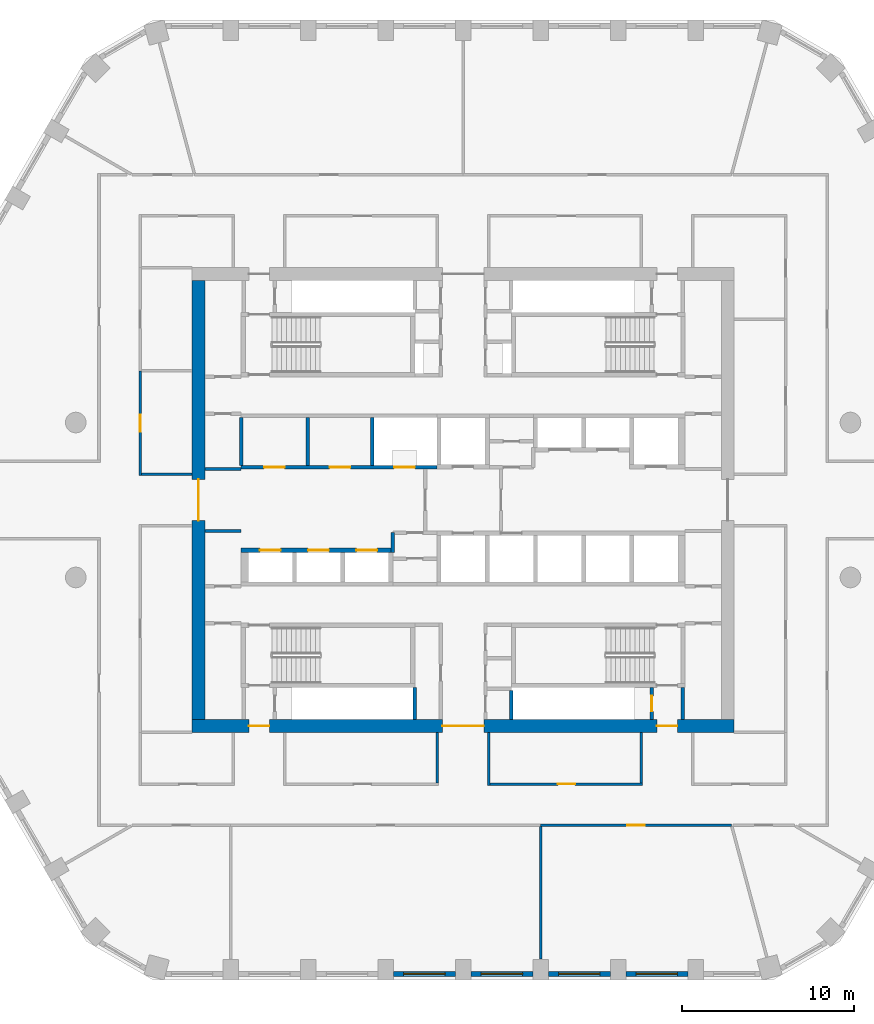
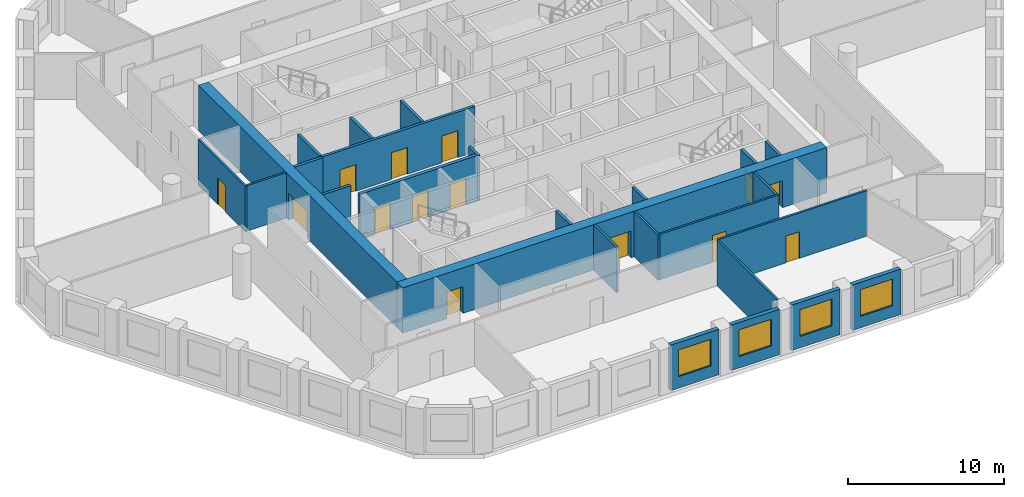
# One storey, part 3 of 10: 26 walls, 14 doors, 4 windows, 18 openings.
"""IFC4 building model written with IfcOpenShell, lengths in metres."""

from ifc_helpers import new_model, si_unit, direction, frame, frame_2d, origin, place, context, subcontext, project, spatial, rectangle, extrude, material, layer, layer_set, type_object, element, fill, save


model = new_model("IFC4")

# Units and contexts
model_context = context("Model", 3, precision=1e-05, world=origin(), true_north=direction((0.0, 1.0)))
body_context = subcontext(model_context, "Body", "Model", "MODEL_VIEW")
ifc_project = project(units=[si_unit("LENGTHUNIT", "METRE"), si_unit("AREAUNIT", "SQUARE_METRE"), si_unit("VOLUMEUNIT", "CUBIC_METRE"), si_unit("PLANEANGLEUNIT", "RADIAN"), si_unit("MASSUNIT", "GRAM", prefix="KILO")], contexts=[model_context])

# Site, building, storey
site_placement = place(None, origin())
site = spatial("IfcSite", under=ifc_project, at=site_placement, CompositionType="ELEMENT")
building_placement = place(site_placement, origin())
building = spatial("IfcBuilding", under=site, at=building_placement, Name="Dhurran Vertical Campus", CompositionType="ELEMENT")
storey_placement = place(building_placement, frame((0.0, 0.0, 148.199951171875)))
storey = spatial("IfcBuildingStorey", under=building, at=storey_placement, Name="L36", CompositionType="ELEMENT", Elevation=148.199951171875)

# Wall, opening, window
ifc_material_1 = material(Name="Precast concrete C50/60", Category="concrete")
ifc_layer_1 = layer(ifc_material_1, 0.300048828125)
ifc_layer_set_1 = layer_set([ifc_layer_1], Name="Precast concrete C50/60")
wall_type_1 = type_object("IfcWallType", Name="Precast spandrel wall 300", PredefinedType="SOLIDWALL", material=ifc_layer_set_1)
wall_1_placement = place(storey_placement, frame((-4.049560546875, -27.53271484375, 0.0), z_axis=(0.0, 0.0, 1.0), x_axis=(1.0, 0.0, 0.0)))
wall_1 = element("IfcWall", 1, at=wall_1_placement, inside=storey, type_object=wall_type_1, Name="EW1 L36.03", PredefinedType="SOLIDWALL", context=body_context, shape_type="SweptSolid", body=[
    extrude(rectangle(XDim=3.59912109375, YDim=0.300048828125, at=frame_2d((1.799560546875, 0.0))), origin(), (0.0, 0.0, 1.0), 3.574951171875),
])
opening_1_placement = place(wall_1_placement, frame((0.599609375, 0.0, 0.89990234375)))
opening_1 = element("IfcOpeningElement", 2, at=opening_1_placement, cuts=wall_1, Name="Opening WT1", PredefinedType="OPENING", context=body_context, shape_type="SweptSolid", body=[
    extrude(rectangle(XDim=2.39990234375, YDim=2.10009765625, at=frame_2d((1.199951171875, 1.050048828125))), frame((0.0, 0.159912109375, 0.0), z_axis=(0.0, -1.0, 0.0), x_axis=(1.0, 0.0, 0.0)), (0.0, 0.0, 1.0), 0.320068359375),
])
ifc_material_2 = material(Name="Aluminium frame with solar-control glass", Category="aluminium")
window_type = type_object("IfcWindowType", Name="Punched window 2400 x 2100", PartitioningType="SINGLE_PANEL", PredefinedType="WINDOW", material=ifc_material_2)
window_1_placement = place(opening_1_placement, origin())
window_1 = element("IfcWindow", 3, at=window_1_placement, inside=storey, type_object=window_type, Name="WT1 L36.03", OverallHeight=2.10009765625, OverallWidth=2.39990234375, PartitioningType="SINGLE_PANEL", PredefinedType="WINDOW", context=body_context, shape_type="SweptSolid", body=[
    extrude(rectangle(XDim=2.39990234375, YDim=2.10009765625, at=frame_2d((1.199951171875, 1.050048828125))), frame((0.0, 0.030029296875, 0.0), z_axis=(0.0, -1.0, 0.0), x_axis=(1.0, 0.0, 0.0)), (0.0, 0.0, 1.0), 0.06005859375),
])
fill(opening_1, window_1)

wall_2_placement = place(storey_placement, frame((0.450439453125, -27.53271484375, 0.0), z_axis=(0.0, 0.0, 1.0), x_axis=(1.0, 0.0, 0.0)))
wall_2 = element("IfcWall", 4, at=wall_2_placement, inside=storey, type_object=wall_type_1, Name="EW1 L36.04", PredefinedType="SOLIDWALL", context=body_context, shape_type="SweptSolid", body=[
    extrude(rectangle(XDim=3.59912109375, YDim=0.300048828125, at=frame_2d((1.799560546875, 0.0))), origin(), (0.0, 0.0, 1.0), 3.574951171875),
])
opening_2_placement = place(wall_2_placement, frame((0.599609375, 0.0, 0.89990234375)))
opening_2 = element("IfcOpeningElement", 5, at=opening_2_placement, cuts=wall_2, Name="Opening WT1", PredefinedType="OPENING", context=body_context, shape_type="SweptSolid", body=[
    extrude(rectangle(XDim=2.39990234375, YDim=2.10009765625, at=frame_2d((1.199951171875, 1.050048828125))), frame((0.0, 0.159912109375, 0.0), z_axis=(0.0, -1.0, 0.0), x_axis=(1.0, 0.0, 0.0)), (0.0, 0.0, 1.0), 0.320068359375),
])
window_2_placement = place(opening_2_placement, origin())
window_2 = element("IfcWindow", 6, at=window_2_placement, inside=storey, type_object=window_type, Name="WT1 L36.04", OverallHeight=2.10009765625, OverallWidth=2.39990234375, PartitioningType="SINGLE_PANEL", PredefinedType="WINDOW", context=body_context, shape_type="SweptSolid", body=[
    extrude(rectangle(XDim=2.39990234375, YDim=2.10009765625, at=frame_2d((1.199951171875, 1.050048828125))), frame((0.0, 0.030029296875, 0.0), z_axis=(0.0, -1.0, 0.0), x_axis=(1.0, 0.0, 0.0)), (0.0, 0.0, 1.0), 0.06005859375),
])
fill(opening_2, window_2)

wall_3_placement = place(storey_placement, frame((4.950439453125, -27.53271484375, 0.0), z_axis=(0.0, 0.0, 1.0), x_axis=(1.0, 0.0, 0.0)))
wall_3 = element("IfcWall", 7, at=wall_3_placement, inside=storey, type_object=wall_type_1, Name="EW1 L36.05", PredefinedType="SOLIDWALL", context=body_context, shape_type="SweptSolid", body=[
    extrude(rectangle(XDim=3.59912109375, YDim=0.300048828125, at=frame_2d((1.799560546875, 0.0))), origin(), (0.0, 0.0, 1.0), 3.574951171875),
])
opening_3_placement = place(wall_3_placement, frame((0.599609375, 0.0, 0.89990234375)))
opening_3 = element("IfcOpeningElement", 8, at=opening_3_placement, cuts=wall_3, Name="Opening WT1", PredefinedType="OPENING", context=body_context, shape_type="SweptSolid", body=[
    extrude(rectangle(XDim=2.39990234375, YDim=2.10009765625, at=frame_2d((1.199951171875, 1.050048828125))), frame((0.0, 0.159912109375, 0.0), z_axis=(0.0, -1.0, 0.0), x_axis=(1.0, 0.0, 0.0)), (0.0, 0.0, 1.0), 0.320068359375),
])
window_3_placement = place(opening_3_placement, origin())
window_3 = element("IfcWindow", 9, at=window_3_placement, inside=storey, type_object=window_type, Name="WT1 L36.05", OverallHeight=2.10009765625, OverallWidth=2.39990234375, PartitioningType="SINGLE_PANEL", PredefinedType="WINDOW", context=body_context, shape_type="SweptSolid", body=[
    extrude(rectangle(XDim=2.39990234375, YDim=2.10009765625, at=frame_2d((1.199951171875, 1.050048828125))), frame((0.0, 0.030029296875, 0.0), z_axis=(0.0, -1.0, 0.0), x_axis=(1.0, 0.0, 0.0)), (0.0, 0.0, 1.0), 0.06005859375),
])
fill(opening_3, window_3)

wall_4_placement = place(storey_placement, frame((9.450439453125, -27.53271484375, 0.0), z_axis=(0.0, 0.0, 1.0), x_axis=(1.0, 0.0, 0.0)))
wall_4 = element("IfcWall", 10, at=wall_4_placement, inside=storey, type_object=wall_type_1, Name="EW1 L36.06", PredefinedType="SOLIDWALL", context=body_context, shape_type="SweptSolid", body=[
    extrude(rectangle(XDim=3.59912109375, YDim=0.300048828125, at=frame_2d((1.799560546875, 0.0))), origin(), (0.0, 0.0, 1.0), 3.574951171875),
])
opening_4_placement = place(wall_4_placement, frame((0.599609375, 0.0, 0.89990234375)))
opening_4 = element("IfcOpeningElement", 11, at=opening_4_placement, cuts=wall_4, Name="Opening WT1", PredefinedType="OPENING", context=body_context, shape_type="SweptSolid", body=[
    extrude(rectangle(XDim=2.39990234375, YDim=2.10009765625, at=frame_2d((1.199951171875, 1.050048828125))), frame((0.0, 0.159912109375, 0.0), z_axis=(0.0, -1.0, 0.0), x_axis=(1.0, 0.0, 0.0)), (0.0, 0.0, 1.0), 0.320068359375),
])
window_4_placement = place(opening_4_placement, origin())
window_4 = element("IfcWindow", 12, at=window_4_placement, inside=storey, type_object=window_type, Name="WT1 L36.06", OverallHeight=2.10009765625, OverallWidth=2.39990234375, PartitioningType="SINGLE_PANEL", PredefinedType="WINDOW", context=body_context, shape_type="SweptSolid", body=[
    extrude(rectangle(XDim=2.39990234375, YDim=2.10009765625, at=frame_2d((1.199951171875, 1.050048828125))), frame((0.0, 0.030029296875, 0.0), z_axis=(0.0, -1.0, 0.0), x_axis=(1.0, 0.0, 0.0)), (0.0, 0.0, 1.0), 0.06005859375),
])
fill(opening_4, window_4)

# Wall, openings, doors
ifc_material_3 = material(Name="Concrete C60/75", Category="concrete")
ifc_layer_2 = layer(ifc_material_3, 0.75)
ifc_layer_set_2 = layer_set([ifc_layer_2], Name="Concrete C60/75")
wall_type_2 = type_object("IfcWallType", Name="co-CORE-WALL-C1-750", PredefinedType="SHEAR", material=ifc_layer_set_2)
wall_5_placement = place(storey_placement, frame((-15.75, -13.125, 0.0), z_axis=(0.0, 0.0, 1.0), x_axis=(1.0, 0.0, 0.0)))
wall_5 = element("IfcWall", 13, at=wall_5_placement, inside=storey, type_object=wall_type_2, Name="Core wall S L36", PredefinedType="SHEAR", context=body_context, shape_type="SweptSolid", body=[
    extrude(rectangle(XDim=31.5, YDim=0.75, at=frame_2d((15.75, 0.0))), origin(), (0.0, 0.0, 1.0), 3.574951171875),
])
opening_5_placement = place(wall_5_placement, frame((14.550048828125, 0.0, 0.0)))
opening_5 = element("IfcOpeningElement", 14, at=opening_5_placement, cuts=wall_5, Name="Opening CV2", PredefinedType="OPENING", context=body_context, shape_type="SweptSolid", body=[
    extrude(rectangle(XDim=2.39990234375, YDim=2.10009765625, at=frame_2d((1.199951171875, 1.050048828125))), frame((0.0, 0.385009765625, 0.0), z_axis=(0.0, -1.0, 0.0), x_axis=(1.0, 0.0, 0.0)), (0.0, 0.0, 1.0), 0.77001953125),
])
opening_6_placement = place(wall_5_placement, frame((3.300048828125, 0.0, 0.0)))
opening_6 = element("IfcOpeningElement", 15, at=opening_6_placement, cuts=wall_5, Name="Opening XD3", PredefinedType="OPENING", context=body_context, shape_type="SweptSolid", body=[
    extrude(rectangle(XDim=1.199951171875, YDim=2.10009765625, at=frame_2d((0.60009765625, 1.050048828125))), frame((0.0, 0.385009765625, 0.0), z_axis=(0.0, -1.0, 0.0), x_axis=(1.0, 0.0, 0.0)), (0.0, 0.0, 1.0), 0.77001953125),
])
opening_7_placement = place(wall_5_placement, frame((27.0, 0.0, 0.0)))
opening_7 = element("IfcOpeningElement", 16, at=opening_7_placement, cuts=wall_5, Name="Opening XD4", PredefinedType="OPENING", context=body_context, shape_type="SweptSolid", body=[
    extrude(rectangle(XDim=1.199951171875, YDim=2.10009765625, at=frame_2d((0.60009765625, 1.050048828125))), frame((0.0, 0.385009765625, 0.0), z_axis=(0.0, -1.0, 0.0), x_axis=(1.0, 0.0, 0.0)), (0.0, 0.0, 1.0), 0.77001953125),
])
ifc_material_4 = material(Name="Fire-rated glazed door set")
door_type_1 = type_object("IfcDoorType", Name="co-D-LOBBY 2400x2100", OperationType="DOUBLE_DOOR_DOUBLE_SWING", PredefinedType="DOOR", material=ifc_material_4)
door_1_placement = place(opening_5_placement, origin())
door_1 = element("IfcDoor", 17, at=door_1_placement, inside=storey, type_object=door_type_1, Name="Core vestibule door S L36", OperationType="DOUBLE_DOOR_DOUBLE_SWING", OverallHeight=2.10009765625, OverallWidth=2.39990234375, PredefinedType="DOOR", context=body_context, shape_type="SweptSolid", body=[
    extrude(rectangle(XDim=2.39990234375, YDim=2.10009765625, at=frame_2d((1.199951171875, 1.050048828125))), frame((0.0, 0.02490234375, 0.0), z_axis=(0.0, -1.0, 0.0), x_axis=(1.0, 0.0, 0.0)), (0.0, 0.0, 1.0), 0.050048828125),
])
fill(opening_5, door_1)
ifc_material_5 = material(Name="Fire-rated steel door set", Category="steel")
door_type_2 = type_object("IfcDoorType", Name="co-D-STAIR-EXIT 1200x2100", OperationType="SINGLE_SWING_RIGHT", PredefinedType="DOOR", material=ifc_material_5)
door_2_placement = place(opening_6_placement, origin())
door_2 = element("IfcDoor", 18, at=door_2_placement, inside=storey, type_object=door_type_2, Name="Stair ST3 exit door L36", OperationType="SINGLE_SWING_RIGHT", OverallHeight=2.10009765625, OverallWidth=1.199951171875, PredefinedType="DOOR", context=body_context, shape_type="SweptSolid", body=[
    extrude(rectangle(XDim=1.199951171875, YDim=2.10009765625, at=frame_2d((0.60009765625, 1.050048828125))), frame((0.0, 0.02490234375, 0.0), z_axis=(0.0, -1.0, 0.0), x_axis=(1.0, 0.0, 0.0)), (0.0, 0.0, 1.0), 0.050048828125),
])
fill(opening_6, door_2)
door_3_placement = place(opening_7_placement, origin())
door_3 = element("IfcDoor", 19, at=door_3_placement, inside=storey, type_object=door_type_2, Name="Stair ST4 exit door L36", OperationType="SINGLE_SWING_RIGHT", OverallHeight=2.10009765625, OverallWidth=1.199951171875, PredefinedType="DOOR", context=body_context, shape_type="SweptSolid", body=[
    extrude(rectangle(XDim=1.199951171875, YDim=2.10009765625, at=frame_2d((0.60009765625, 1.050048828125))), frame((0.0, 0.02490234375, 0.0), z_axis=(0.0, -1.0, 0.0), x_axis=(1.0, 0.0, 0.0)), (0.0, 0.0, 1.0), 0.050048828125),
])
fill(opening_7, door_3)

# Wall, opening, door
wall_6_placement = place(storey_placement, frame((-15.375, -12.75, 0.0), z_axis=(0.0, 0.0, 1.0), x_axis=(0.0, 1.0, 0.0)))
wall_6 = element("IfcWall", 20, at=wall_6_placement, inside=storey, type_object=wall_type_2, Name="Core wall W L36", PredefinedType="SHEAR", context=body_context, shape_type="SweptSolid", body=[
    extrude(rectangle(XDim=25.5, YDim=0.75, at=frame_2d((12.75, 0.0))), origin(), (0.0, 0.0, 1.0), 3.574951171875),
])
opening_8_placement = place(wall_6_placement, frame((11.550048828125, 0.0, 0.0)))
opening_8 = element("IfcOpeningElement", 21, at=opening_8_placement, cuts=wall_6, Name="Opening CL1", PredefinedType="OPENING", context=body_context, shape_type="SweptSolid", body=[
    extrude(rectangle(XDim=2.39990234375, YDim=2.10009765625, at=frame_2d((1.199951171875, 1.050048828125))), frame((0.0, 0.385009765625, 0.0), z_axis=(0.0, -1.0, 0.0), x_axis=(1.0, 0.0, 0.0)), (0.0, 0.0, 1.0), 0.77001953125),
])
door_4_placement = place(opening_8_placement, origin())
door_4 = element("IfcDoor", 22, at=door_4_placement, inside=storey, type_object=door_type_1, Name="Lift lobby door W L36", OperationType="DOUBLE_DOOR_DOUBLE_SWING", OverallHeight=2.10009765625, OverallWidth=2.39990234375, PredefinedType="DOOR", context=body_context, shape_type="SweptSolid", body=[
    extrude(rectangle(XDim=2.39990234375, YDim=2.10009765625, at=frame_2d((1.199951171875, 1.050048828125))), frame((0.0, 0.02490234375, 0.0), z_axis=(0.0, -1.0, 0.0), x_axis=(1.0, 0.0, 0.0)), (0.0, 0.0, 1.0), 0.050048828125),
])
fill(opening_8, door_4)

# Wall
ifc_material_6 = material(Name="Fire-rated masonry blockwork", Category="masonry")
ifc_layer_3 = layer(ifc_material_6, 0.199951171875)
ifc_layer_set_3 = layer_set([ifc_layer_3], Name="Fire-rated masonry blockwork")
wall_type_3 = type_object("IfcWallType", Name="co-FIRE-PARTITION-200", PredefinedType="PARTITIONING", material=ifc_layer_set_3)
wall_7_placement = place(storey_placement, frame((12.75, -12.75, 0.0), z_axis=(0.0, 0.0, 1.0), x_axis=(0.0, 1.0, 0.0)))
element("IfcWall", 23, at=wall_7_placement, inside=storey, type_object=wall_type_3, Name="Core partition pass-ST4-o L36", PredefinedType="PARTITIONING", context=body_context, shape_type="SweptSolid", body=[
    extrude(rectangle(XDim=1.85009765625, YDim=0.199951171875, at=frame_2d((0.925048828125, 0.0))), origin(), (0.0, 0.0, 1.0), 3.574951171875),
])

# Wall, opening, door
wall_8_placement = place(storey_placement, frame((10.949951171875, -12.75, 0.0), z_axis=(0.0, 0.0, 1.0), x_axis=(0.0, 1.0, 0.0)))
wall_8 = element("IfcWall", 24, at=wall_8_placement, inside=storey, type_object=wall_type_3, Name="Core partition pass-ST4-i L36", PredefinedType="PARTITIONING", context=body_context, shape_type="SweptSolid", body=[
    extrude(rectangle(XDim=1.85009765625, YDim=0.199951171875, at=frame_2d((0.925048828125, 0.0))), origin(), (0.0, 0.0, 1.0), 3.574951171875),
])
opening_9_placement = place(wall_8_placement, frame((0.47509765625, 0.0, 0.0)))
opening_9 = element("IfcOpeningElement", 25, at=opening_9_placement, cuts=wall_8, Name="Opening T10-C14", PredefinedType="OPENING", context=body_context, shape_type="SweptSolid", body=[
    extrude(rectangle(XDim=0.89990234375, YDim=2.10009765625, at=frame_2d((0.449951171875, 1.050048828125))), frame((0.0, 0.10986328125, 0.0), z_axis=(0.0, -1.0, 0.0), x_axis=(1.0, 0.0, 0.0)), (0.0, 0.0, 1.0), 0.219970703125),
])
ifc_material_7 = material(Name="Fire-rated timber door set", Category="wood")
door_type_3 = type_object("IfcDoorType", Name="co-D-ROOM 900x2100", OperationType="SINGLE_SWING_LEFT", PredefinedType="DOOR", material=ifc_material_7)
door_5_placement = place(opening_9_placement, origin())
door_5 = element("IfcDoor", 26, at=door_5_placement, inside=storey, type_object=door_type_3, Name="Riser room door L36", OperationType="SINGLE_SWING_LEFT", OverallHeight=2.10009765625, OverallWidth=0.89990234375, PredefinedType="DOOR", context=body_context, shape_type="SweptSolid", body=[
    extrude(rectangle(XDim=0.89990234375, YDim=2.10009765625, at=frame_2d((0.449951171875, 1.050048828125))), frame((0.0, 0.02490234375, 0.0), z_axis=(0.0, -1.0, 0.0), x_axis=(1.0, 0.0, 0.0)), (0.0, 0.0, 1.0), 0.050048828125),
])
fill(opening_9, door_5)

# Walls
for number, where, z_axis, x_axis, name in (
    (27, (-15.0, 1.800048828125, 0.0), (0.0, 0.0, 1.0), (1.0, 0.0, 0.0), "Core partition es-NW-l L36"),
    (28, (-15.0, -1.800048828125, 0.0), (0.0, 0.0, 1.0), (1.0, 0.0, 0.0), "Core partition es-SW-l L36"),
):
    element("IfcWall", number, at=place(storey_placement, frame(where, z_axis=z_axis, x_axis=x_axis)), inside=storey, type_object=wall_type_3, Name=name, PredefinedType="PARTITIONING", context=body_context, shape_type="SweptSolid", body=[
        extrude(rectangle(XDim=2.10009765625, YDim=0.199951171875, at=frame_2d((1.050048828125, 0.0))), origin(), (0.0, 0.0, 1.0), 3.574951171875),
    ])
for number, where, z_axis, x_axis, name in (
    (29, (-9.032470703125, 2.0, 0.0), (0.0, 0.0, 1.0), (0.0, 1.0, 0.0), "Core partition fr-N0-cut0 L36"),
    (30, (-5.27880859375, 2.0, 0.0), (0.0, 0.0, 1.0), (0.0, 1.0, 0.0), "Core partition fr-N0-cut1 L36"),
):
    element("IfcWall", number, at=place(storey_placement, frame(where, z_axis=z_axis, x_axis=x_axis)), inside=storey, type_object=wall_type_3, Name=name, PredefinedType="PARTITIONING", context=body_context, shape_type="SweptSolid", body=[
        extrude(rectangle(XDim=2.800048828125, YDim=0.199951171875, at=frame_2d((1.39990234375, 0.0))), origin(), (0.0, 0.0, 1.0), 3.574951171875),
    ])

# Wall, openings, doors
wall_9_placement = place(storey_placement, frame((-12.89990234375, 1.89990234375, 0.0), z_axis=(0.0, 0.0, 1.0), x_axis=(1.0, 0.0, 0.0)))
wall_9 = element("IfcWall", 31, at=wall_9_placement, inside=storey, type_object=wall_type_3, Name="Core partition fr-N0-f L36", PredefinedType="PARTITIONING", context=body_context, shape_type="SweptSolid", body=[
    extrude(rectangle(XDim=11.375, YDim=0.199951171875, at=frame_2d((5.6875, 0.0))), origin(), (0.0, 0.0, 1.0), 3.574951171875),
])
opening_10_placement = place(wall_9_placement, frame((1.333740234375, 0.0, 0.0)))
opening_10 = element("IfcOpeningElement", 32, at=opening_10_placement, cuts=wall_9, Name="Opening T10-C23", PredefinedType="OPENING", context=body_context, shape_type="SweptSolid", body=[
    extrude(rectangle(XDim=1.199951171875, YDim=2.10009765625, at=frame_2d((0.60009765625, 1.050048828125))), frame((0.0, 0.10986328125, 0.0), z_axis=(0.0, -1.0, 0.0), x_axis=(1.0, 0.0, 0.0)), (0.0, 0.0, 1.0), 0.219970703125),
])
opening_11_placement = place(wall_9_placement, frame((5.144287109375, 0.0, 0.0)))
opening_11 = element("IfcOpeningElement", 33, at=opening_11_placement, cuts=wall_9, Name="Opening T10-C24", PredefinedType="OPENING", context=body_context, shape_type="SweptSolid", body=[
    extrude(rectangle(XDim=1.199951171875, YDim=2.10009765625, at=frame_2d((0.60009765625, 1.050048828125))), frame((0.0, 0.10986328125, 0.0), z_axis=(0.0, -1.0, 0.0), x_axis=(1.0, 0.0, 0.0)), (0.0, 0.0, 1.0), 0.219970703125),
])
opening_12_placement = place(wall_9_placement, frame((8.898193359375, 0.0, 0.0)))
opening_12 = element("IfcOpeningElement", 34, at=opening_12_placement, cuts=wall_9, Name="Opening T10-C25", PredefinedType="OPENING", context=body_context, shape_type="SweptSolid", body=[
    extrude(rectangle(XDim=1.199951171875, YDim=2.10009765625, at=frame_2d((0.60009765625, 1.050048828125))), frame((0.0, 0.10986328125, 0.0), z_axis=(0.0, -1.0, 0.0), x_axis=(1.0, 0.0, 0.0)), (0.0, 0.0, 1.0), 0.219970703125),
])
ifc_material_8 = material(Name="Fire-rated steel door set", Category="steel")
door_type_4 = type_object("IfcDoorType", Name="co-D-ROOM-PASSAGE 1200x2100", OperationType="SINGLE_SWING_RIGHT", PredefinedType="DOOR", material=ifc_material_8)
door_6_placement = place(opening_10_placement, origin())
door_6 = element("IfcDoor", 35, at=door_6_placement, inside=storey, type_object=door_type_4, Name="Cleaner's store door L36", OperationType="SINGLE_SWING_RIGHT", OverallHeight=2.10009765625, OverallWidth=1.199951171875, PredefinedType="DOOR", context=body_context, shape_type="SweptSolid", body=[
    extrude(rectangle(XDim=1.199951171875, YDim=2.10009765625, at=frame_2d((0.60009765625, 1.050048828125))), frame((0.0, 0.02490234375, 0.0), z_axis=(0.0, -1.0, 0.0), x_axis=(1.0, 0.0, 0.0)), (0.0, 0.0, 1.0), 0.050048828125),
])
fill(opening_10, door_6)
door_7_placement = place(opening_11_placement, origin())
door_7 = element("IfcDoor", 36, at=door_7_placement, inside=storey, type_object=door_type_4, Name="Cleaner's store door L36", OperationType="SINGLE_SWING_RIGHT", OverallHeight=2.10009765625, OverallWidth=1.199951171875, PredefinedType="DOOR", context=body_context, shape_type="SweptSolid", body=[
    extrude(rectangle(XDim=1.199951171875, YDim=2.10009765625, at=frame_2d((0.60009765625, 1.050048828125))), frame((0.0, 0.02490234375, 0.0), z_axis=(0.0, -1.0, 0.0), x_axis=(1.0, 0.0, 0.0)), (0.0, 0.0, 1.0), 0.050048828125),
])
fill(opening_11, door_7)
door_8_placement = place(opening_12_placement, origin())
door_8 = element("IfcDoor", 37, at=door_8_placement, inside=storey, type_object=door_type_4, Name="Electrical riser door L36", OperationType="SINGLE_SWING_RIGHT", OverallHeight=2.10009765625, OverallWidth=1.199951171875, PredefinedType="DOOR", context=body_context, shape_type="SweptSolid", body=[
    extrude(rectangle(XDim=1.199951171875, YDim=2.10009765625, at=frame_2d((0.60009765625, 1.050048828125))), frame((0.0, 0.02490234375, 0.0), z_axis=(0.0, -1.0, 0.0), x_axis=(1.0, 0.0, 0.0)), (0.0, 0.0, 1.0), 0.050048828125),
])
fill(opening_12, door_8)

# Walls
wall_10_placement = place(storey_placement, frame((-12.89990234375, 2.0, 0.0), z_axis=(0.0, 0.0, 1.0), x_axis=(0.0, 1.0, 0.0)))
element("IfcWall", 38, at=wall_10_placement, inside=storey, type_object=wall_type_3, Name="Core partition fr-N0-e0 L36", PredefinedType="PARTITIONING", context=body_context, shape_type="SweptSolid", body=[
    extrude(rectangle(XDim=2.800048828125, YDim=0.199951171875, at=frame_2d((1.39990234375, 0.0))), origin(), (0.0, 0.0, 1.0), 3.574951171875),
])
wall_11_placement = place(storey_placement, frame((-4.074951171875, -1.89990234375, 0.0), z_axis=(0.0, 0.0, 1.0), x_axis=(0.0, -1.0, 0.0)))
element("IfcWall", 39, at=wall_11_placement, inside=storey, type_object=wall_type_3, Name="Core partition fr-S0-n0 L36", PredefinedType="PARTITIONING", context=body_context, shape_type="SweptSolid", body=[
    extrude(rectangle(XDim=1.150146484375, YDim=0.199951171875, at=frame_2d((0.5751953125, 0.0))), origin(), (0.0, 0.0, 1.0), 3.574951171875),
])
wall_12_placement = place(storey_placement, frame((-2.800048828125, -12.7490234375, 0.0), z_axis=(0.0, 0.0, 1.0), x_axis=(0.0, 1.0, 0.0)))
element("IfcWall", 40, at=wall_12_placement, inside=storey, type_object=wall_type_3, Name="Riser enclosure wall L36", PredefinedType="PARTITIONING", context=body_context, shape_type="SweptSolid", body=[
    extrude(rectangle(XDim=1.84814453125, YDim=0.199951171875, at=frame_2d((0.924072265625, 0.0))), origin(), (0.0, 0.0, 1.0), 3.574951171875),
])
wall_13_placement = place(storey_placement, frame((2.800048828125, -11.069091796875, 0.0), z_axis=(0.0, 0.0, 1.0), x_axis=(0.0, -1.0, 0.0)))
element("IfcWall", 41, at=wall_13_placement, inside=storey, type_object=wall_type_3, Name="Riser enclosure wall L36", PredefinedType="PARTITIONING", context=body_context, shape_type="SweptSolid", body=[
    extrude(rectangle(XDim=1.679931640625, YDim=0.199951171875, at=frame_2d((0.83984375, 0.0))), origin(), (0.0, 0.0, 1.0), 3.574951171875),
])

# Wall, openings, doors
ifc_material_9 = material(Name="Concrete C50/60", Category="concrete")
ifc_layer_4 = layer(ifc_material_9, 0.25)
ifc_layer_set_4 = layer_set([ifc_layer_4], Name="Concrete C50/60")
wall_type_4 = type_object("IfcWallType", Name="co-SHAFT-FRONT-250", PredefinedType="SHEAR", material=ifc_layer_set_4)
wall_14_placement = place(storey_placement, frame((-12.89990234375, -2.925048828125, 0.0), z_axis=(0.0, 0.0, 1.0), x_axis=(1.0, 0.0, 0.0)))
wall_14 = element("IfcWall", 42, at=wall_14_placement, inside=storey, type_object=wall_type_4, Name="Lift landing wall S L36", PredefinedType="SHEAR", context=body_context, shape_type="SweptSolid", body=[
    extrude(rectangle(XDim=8.824951171875, YDim=0.25, at=frame_2d((4.41259765625, 0.0))), origin(), (0.0, 0.0, 1.0), 3.574951171875),
])
opening_13_placement = place(wall_14_placement, frame((1.10009765625, 0.0, 0.0)))
opening_13 = element("IfcOpeningElement", 43, at=opening_13_placement, cuts=wall_14, Name="Opening LD", PredefinedType="OPENING", context=body_context, shape_type="SweptSolid", body=[
    extrude(rectangle(XDim=1.199951171875, YDim=2.10009765625, at=frame_2d((0.60009765625, 1.050048828125))), frame((0.0, 0.135009765625, 0.0), z_axis=(0.0, -1.0, 0.0), x_axis=(1.0, 0.0, 0.0)), (0.0, 0.0, 1.0), 0.27001953125),
])
opening_14_placement = place(wall_14_placement, frame((3.89990234375, 0.0, 0.0)))
opening_14 = element("IfcOpeningElement", 44, at=opening_14_placement, cuts=wall_14, Name="Opening LD", PredefinedType="OPENING", context=body_context, shape_type="SweptSolid", body=[
    extrude(rectangle(XDim=1.199951171875, YDim=2.10009765625, at=frame_2d((0.60009765625, 1.050048828125))), frame((0.0, 0.135009765625, 0.0), z_axis=(0.0, -1.0, 0.0), x_axis=(1.0, 0.0, 0.0)), (0.0, 0.0, 1.0), 0.27001953125),
])
opening_15_placement = place(wall_14_placement, frame((6.699951171875, 0.0, 0.0)))
opening_15 = element("IfcOpeningElement", 45, at=opening_15_placement, cuts=wall_14, Name="Opening LD", PredefinedType="OPENING", context=body_context, shape_type="SweptSolid", body=[
    extrude(rectangle(XDim=1.199951171875, YDim=2.10009765625, at=frame_2d((0.60009765625, 1.050048828125))), frame((0.0, 0.135009765625, 0.0), z_axis=(0.0, -1.0, 0.0), x_axis=(1.0, 0.0, 0.0)), (0.0, 0.0, 1.0), 0.27001953125),
])
ifc_material_10 = material(Name="Stainless steel landing door", Category="steel")
door_type_5 = type_object("IfcDoorType", Name="co-D-LANDING 1200x2100", OperationType="DOUBLE_DOOR_SLIDING", PredefinedType="DOOR", material=ifc_material_10)
door_9_placement = place(opening_13_placement, origin())
door_9 = element("IfcDoor", 46, at=door_9_placement, inside=storey, type_object=door_type_5, Name="Landing door MR3 L36", OperationType="DOUBLE_DOOR_SLIDING", OverallHeight=2.10009765625, OverallWidth=1.199951171875, PredefinedType="DOOR", context=body_context, shape_type="SweptSolid", body=[
    extrude(rectangle(XDim=1.199951171875, YDim=2.10009765625, at=frame_2d((0.60009765625, 1.050048828125))), frame((0.0, 0.02490234375, 0.0), z_axis=(0.0, -1.0, 0.0), x_axis=(1.0, 0.0, 0.0)), (0.0, 0.0, 1.0), 0.050048828125),
])
fill(opening_13, door_9)
door_10_placement = place(opening_14_placement, origin())
door_10 = element("IfcDoor", 47, at=door_10_placement, inside=storey, type_object=door_type_5, Name="Landing door MR4 L36", OperationType="DOUBLE_DOOR_SLIDING", OverallHeight=2.10009765625, OverallWidth=1.199951171875, PredefinedType="DOOR", context=body_context, shape_type="SweptSolid", body=[
    extrude(rectangle(XDim=1.199951171875, YDim=2.10009765625, at=frame_2d((0.60009765625, 1.050048828125))), frame((0.0, 0.02490234375, 0.0), z_axis=(0.0, -1.0, 0.0), x_axis=(1.0, 0.0, 0.0)), (0.0, 0.0, 1.0), 0.050048828125),
])
fill(opening_14, door_10)
door_11_placement = place(opening_15_placement, origin())
door_11 = element("IfcDoor", 48, at=door_11_placement, inside=storey, type_object=door_type_5, Name="Landing door MR5 L36", OperationType="DOUBLE_DOOR_SLIDING", OverallHeight=2.10009765625, OverallWidth=1.199951171875, PredefinedType="DOOR", context=body_context, shape_type="SweptSolid", body=[
    extrude(rectangle(XDim=1.199951171875, YDim=2.10009765625, at=frame_2d((0.60009765625, 1.050048828125))), frame((0.0, 0.02490234375, 0.0), z_axis=(0.0, -1.0, 0.0), x_axis=(1.0, 0.0, 0.0)), (0.0, 0.0, 1.0), 0.050048828125),
])
fill(opening_15, door_11)

# Wall, opening, door
ifc_material_11 = material(Name="Gypsum board corridor wall on steel studs", Category="steel")
ifc_layer_5 = layer(ifc_material_11, 0.14990234375)
ifc_layer_set_5 = layer_set([ifc_layer_5], Name="Gypsum board corridor wall on steel studs")
wall_type_5 = type_object("IfcWallType", Name="fl-CW-150 corridor wall", PredefinedType="PARTITIONING", material=ifc_layer_set_5)
wall_15_placement = place(storey_placement, frame((-18.75, 1.425048828125, 0.0), z_axis=(0.0, 0.0, 1.0), x_axis=(0.0, 1.0, 0.0)))
wall_15 = element("IfcWall", 49, at=wall_15_placement, inside=storey, type_object=wall_type_5, Name="Partition 36-16", PredefinedType="PARTITIONING", context=body_context, shape_type="SweptSolid", body=[
    extrude(rectangle(XDim=6.074951171875, YDim=0.14990234375, at=frame_2d((3.03759765625, 0.0))), origin(), (0.0, 0.0, 1.0), 3.574951171875),
])
opening_16_placement = place(wall_15_placement, frame((2.53759765625, 0.0, 0.0)))
opening_16 = element("IfcOpeningElement", 50, at=opening_16_placement, cuts=wall_15, Name="Opening T10.06", PredefinedType="OPENING", context=body_context, shape_type="SweptSolid", body=[
    extrude(rectangle(XDim=1.0, YDim=2.10009765625, at=frame_2d((0.5, 1.050048828125))), frame((0.0, 0.0849609375, 0.0), z_axis=(0.0, -1.0, 0.0), x_axis=(1.0, 0.0, 0.0)), (0.0, 0.0, 1.0), 0.169921875),
])
ifc_material_12 = material(Name="Solid-core timber door set, fire-rated", Category="wood")
door_type_6 = type_object("IfcDoorType", Name="fl-D-1000x2100", OperationType="SINGLE_SWING_LEFT", PredefinedType="DOOR", material=ifc_material_12)
door_12_placement = place(opening_16_placement, origin())
door_12 = element("IfcDoor", 51, at=door_12_placement, inside=storey, type_object=door_type_6, Name="Door 36.06", OperationType="SINGLE_SWING_RIGHT", OverallHeight=2.10009765625, OverallWidth=1.0, PredefinedType="DOOR", context=body_context, shape_type="SweptSolid", body=[
    extrude(rectangle(XDim=1.0, YDim=2.10009765625, at=frame_2d((0.5, 1.050048828125))), frame((0.0, 0.02490234375, 0.0), z_axis=(0.0, -1.0, 0.0), x_axis=(1.0, 0.0, 0.0)), (0.0, 0.0, 1.0), 0.050048828125),
])
fill(opening_16, door_12)

# Walls
for number, where, z_axis, x_axis, name in (
    (52, (-15.75, 1.5, 0.0), (0.0, 0.0, 1.0), (-1.0, 0.0, 0.0), "Partition 36-17"),
    (53, (-1.5, -13.5, 0.0), (0.0, 0.0, 1.0), (0.0, -1.0, 0.0), "Partition 36-33"),
):
    element("IfcWall", number, at=place(storey_placement, frame(where, z_axis=z_axis, x_axis=x_axis)), inside=storey, type_object=wall_type_5, Name=name, PredefinedType="PARTITIONING", context=body_context, shape_type="SweptSolid", body=[
        extrude(rectangle(XDim=2.925048828125, YDim=0.14990234375, at=frame_2d((1.46240234375, 0.0))), origin(), (0.0, 0.0, 1.0), 3.574951171875),
    ])
wall_16_placement = place(storey_placement, frame((1.5, -16.574951171875, 0.0), z_axis=(0.0, 0.0, 1.0), x_axis=(0.0, 1.0, 0.0)))
element("IfcWall", 54, at=wall_16_placement, inside=storey, type_object=wall_type_5, Name="Partition 36-37", PredefinedType="PARTITIONING", context=body_context, shape_type="SweptSolid", body=[
    extrude(rectangle(XDim=3.074951171875, YDim=0.14990234375, at=frame_2d((1.53759765625, 0.0))), origin(), (0.0, 0.0, 1.0), 3.574951171875),
])

# Wall, opening, door
wall_17_placement = place(storey_placement, frame((10.425048828125, -16.5, 0.0), z_axis=(0.0, 0.0, 1.0), x_axis=(-1.0, 0.0, 0.0)))
wall_17 = element("IfcWall", 55, at=wall_17_placement, inside=storey, type_object=wall_type_5, Name="Partition 36-38", PredefinedType="PARTITIONING", context=body_context, shape_type="SweptSolid", body=[
    extrude(rectangle(XDim=8.85009765625, YDim=0.14990234375, at=frame_2d((4.425048828125, 0.0))), origin(), (0.0, 0.0, 1.0), 3.574951171875),
])
opening_17_placement = place(wall_17_placement, frame((3.925048828125, 0.0, 0.0)))
opening_17 = element("IfcOpeningElement", 56, at=opening_17_placement, cuts=wall_17, Name="Opening T10.14", PredefinedType="OPENING", context=body_context, shape_type="SweptSolid", body=[
    extrude(rectangle(XDim=1.0, YDim=2.10009765625, at=frame_2d((0.5, 1.050048828125))), frame((0.0, 0.0849609375, 0.0), z_axis=(0.0, -1.0, 0.0), x_axis=(1.0, 0.0, 0.0)), (0.0, 0.0, 1.0), 0.169921875),
])
door_13_placement = place(opening_17_placement, origin())
door_13 = element("IfcDoor", 57, at=door_13_placement, inside=storey, type_object=door_type_6, Name="Door 36.14", OperationType="SINGLE_SWING_RIGHT", OverallHeight=2.10009765625, OverallWidth=1.0, PredefinedType="DOOR", context=body_context, shape_type="SweptSolid", body=[
    extrude(rectangle(XDim=1.0, YDim=2.10009765625, at=frame_2d((0.5, 1.050048828125))), frame((0.0, 0.02490234375, 0.0), z_axis=(0.0, -1.0, 0.0), x_axis=(1.0, 0.0, 0.0)), (0.0, 0.0, 1.0), 0.050048828125),
])
fill(opening_17, door_13)

wall_18_placement = place(storey_placement, frame((4.5, -18.89990234375, 0.0), z_axis=(0.0, 0.0, 1.0), x_axis=(1.0, 0.0, 0.0)))
wall_18 = element("IfcWall", 58, at=wall_18_placement, inside=storey, type_object=wall_type_5, Name="Partition 36-42", PredefinedType="PARTITIONING", context=body_context, shape_type="SweptSolid", body=[
    extrude(rectangle(XDim=11.093017578125, YDim=0.14990234375, at=frame_2d((5.54638671875, 0.0))), origin(), (0.0, 0.0, 1.0), 3.574951171875),
])
opening_18_placement = place(wall_18_placement, frame((5.04638671875, 0.0, 0.0)))
opening_18 = element("IfcOpeningElement", 59, at=opening_18_placement, cuts=wall_18, Name="Opening T10.17", PredefinedType="OPENING", context=body_context, shape_type="SweptSolid", body=[
    extrude(rectangle(XDim=1.0, YDim=2.10009765625, at=frame_2d((0.5, 1.050048828125))), frame((0.0, 0.0849609375, 0.0), z_axis=(0.0, -1.0, 0.0), x_axis=(1.0, 0.0, 0.0)), (0.0, 0.0, 1.0), 0.169921875),
])
door_14_placement = place(opening_18_placement, origin())
door_14 = element("IfcDoor", 60, at=door_14_placement, inside=storey, type_object=door_type_6, Name="Door 36.17", OperationType="SINGLE_SWING_LEFT", OverallHeight=2.10009765625, OverallWidth=1.0, PredefinedType="DOOR", context=body_context, shape_type="SweptSolid", body=[
    extrude(rectangle(XDim=1.0, YDim=2.10009765625, at=frame_2d((0.5, 1.050048828125))), frame((0.0, 0.02490234375, 0.0), z_axis=(0.0, -1.0, 0.0), x_axis=(1.0, 0.0, 0.0)), (0.0, 0.0, 1.0), 0.050048828125),
])
fill(opening_18, door_14)

# Walls
wall_19_placement = place(storey_placement, frame((10.35009765625, -13.5, 0.0), z_axis=(0.0, 0.0, 1.0), x_axis=(0.0, -1.0, 0.0)))
element("IfcWall", 61, at=wall_19_placement, inside=storey, type_object=wall_type_5, Name="Partition 36-43", PredefinedType="PARTITIONING", context=body_context, shape_type="SweptSolid", body=[
    extrude(rectangle(XDim=2.925048828125, YDim=0.14990234375, at=frame_2d((1.46240234375, 0.0))), origin(), (0.0, 0.0, 1.0), 3.574951171875),
])
ifc_material_13 = material(Name="Gypsum board partition on steel studs", Category="steel")
ifc_layer_6 = layer(ifc_material_13, 0.14990234375)
ifc_layer_set_6 = layer_set([ifc_layer_6], Name="Gypsum board partition on steel studs")
wall_type_6 = type_object("IfcWallType", Name="fl-PW-150 fixed partition", PredefinedType="PARTITIONING", material=ifc_layer_set_6)
wall_20_placement = place(storey_placement, frame((4.5, -18.97509765625, 0.0), z_axis=(0.0, 0.0, 1.0), x_axis=(0.0, -1.0, 0.0)))
element("IfcWall", 62, at=wall_20_placement, inside=storey, type_object=wall_type_6, Name="Partition 36-41", PredefinedType="PARTITIONING", context=body_context, shape_type="SweptSolid", body=[
    extrude(rectangle(XDim=7.6875, YDim=0.14990234375, at=frame_2d((3.84375, 0.0))), origin(), (0.0, 0.0, 1.0), 3.574951171875),
])

save(model, "model.ifc")
